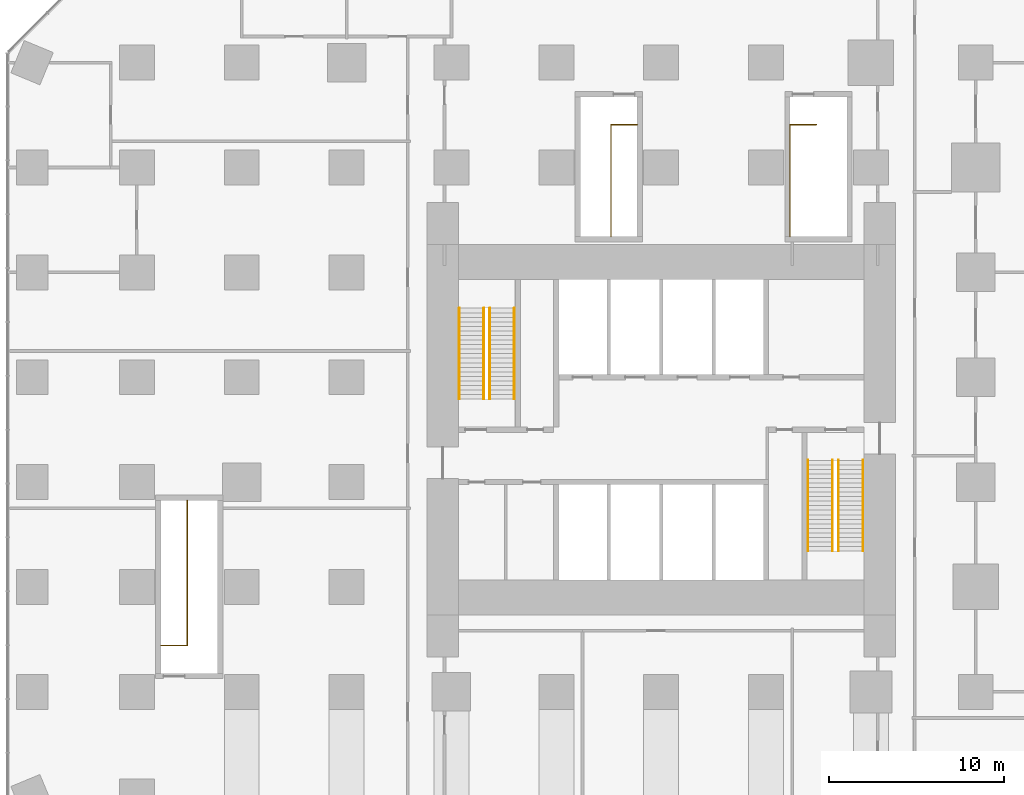
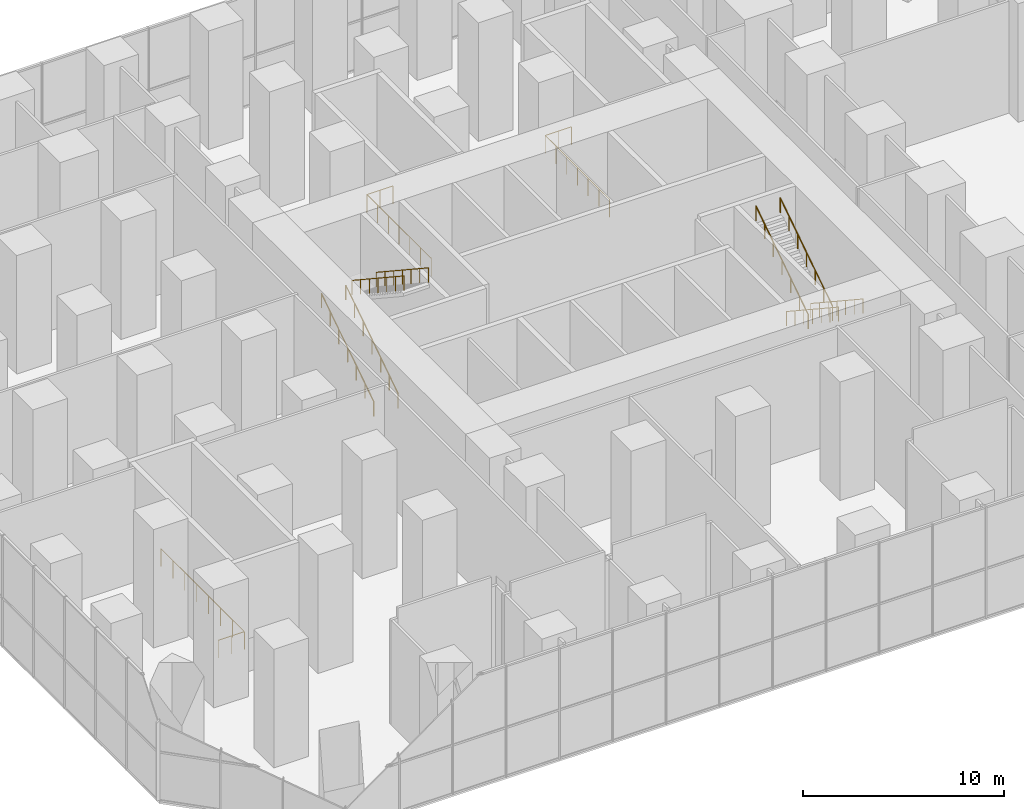
# One storey, part 16 of 16: 11 railings.
"""IFC4 building model written with IfcOpenShell, lengths in metres."""

from ifc_helpers import new_model, si_unit, direction, frame, origin, origin_2d, place, context, subcontext, project, spatial, circle, extrude, material, type_object, element, save


model = new_model("IFC4")

# Units and contexts
model_context = context("Model", 3, precision=1e-05, world=origin(), true_north=direction((0.0, 1.0)))
body_context = subcontext(model_context, "Body", "Model", "MODEL_VIEW")
ifc_project = project(units=[si_unit("LENGTHUNIT", "METRE"), si_unit("AREAUNIT", "SQUARE_METRE"), si_unit("VOLUMEUNIT", "CUBIC_METRE"), si_unit("PLANEANGLEUNIT", "RADIAN"), si_unit("MASSUNIT", "GRAM", prefix="KILO")], contexts=[model_context])

# Site, building, storey
site_placement = place(None, origin())
site = spatial("IfcSite", under=ifc_project, at=site_placement, CompositionType="ELEMENT")
building_placement = place(site_placement, origin())
building = spatial("IfcBuilding", under=site, at=building_placement, Name="Highveld Stack Headquarters", CompositionType="ELEMENT")
storey_placement = place(building_placement, frame((0.0, 0.0, 11.0)))
storey = spatial("IfcBuildingStorey", under=building, at=storey_placement, Name="L02", CompositionType="ELEMENT", Elevation=11.0)

# Railings
ifc_material_1 = material(Name="Steel balustrade, powder coated", Category="steel")
railing_type_1 = type_object("IfcRailingType", Name="STAIR GUARD GR2 1100", PredefinedType="GUARDRAIL", material=ifc_material_1)
railing_placement = place(storey_placement, frame((-22.625, -9.35009765625, 0.0)))
element("IfcRailing", 1, at=railing_placement, inside=storey, type_object=railing_type_1, Name="Stair guard PS1 L02", PredefinedType="GUARDRAIL", context=body_context, shape_type="SweptSolid", body=[
    extrude(circle(Radius=0.02392578125, at=origin_2d()), frame((0.0, 0.0, 1.076171875), z_axis=(1.0, 0.0, 0.0), x_axis=(0.0, 1.0, 0.0)), (0.0, 0.0, 1.0), 1.5),
    extrude(circle(Radius=0.02392578125, at=origin_2d()), frame((1.5, 0.0, 1.076171875), z_axis=(0.0, 1.0, 0.0), x_axis=(-1.0, 0.0, 0.0)), (0.0, 0.0, 1.0), 8.300048828125),
    extrude(circle(Radius=0.02099609375, at=origin_2d()), origin(), (0.0, 0.0, 1.0), 1.052001953125),
    extrude(circle(Radius=0.02099609375, at=origin_2d()), frame((0.75, 0.0, 0.0)), (0.0, 0.0, 1.0), 1.052001953125),
    extrude(circle(Radius=0.02099609375, at=origin_2d()), frame((1.5, 0.0, 0.0)), (0.0, 0.0, 1.0), 1.052001953125),
    extrude(circle(Radius=0.02099609375, at=origin_2d()), frame((1.5, 1.185791015625, 0.0)), (0.0, 0.0, 1.0), 1.052001953125),
    extrude(circle(Radius=0.02099609375, at=origin_2d()), frame((1.5, 2.371337890625, 0.0)), (0.0, 0.0, 1.0), 1.052001953125),
    extrude(circle(Radius=0.02099609375, at=origin_2d()), frame((1.5, 3.55712890625, 0.0)), (0.0, 0.0, 1.0), 1.052001953125),
    extrude(circle(Radius=0.02099609375, at=origin_2d()), frame((1.5, 4.742919921875, 0.0)), (0.0, 0.0, 1.0), 1.052001953125),
    extrude(circle(Radius=0.02099609375, at=origin_2d()), frame((1.5, 5.9287109375, 0.0)), (0.0, 0.0, 1.0), 1.052001953125),
    extrude(circle(Radius=0.02099609375, at=origin_2d()), frame((1.5, 7.1142578125, 0.0)), (0.0, 0.0, 1.0), 1.052001953125),
    extrude(circle(Radius=0.02099609375, at=origin_2d()), frame((1.5, 8.300048828125, 0.0)), (0.0, 0.0, 1.0), 1.052001953125),
])
for number, where, name in (
    (2, (14.875, 20.449951171875, 0.0), "Stair guard PS2 L02"),
    (3, (4.625, 20.449951171875, 0.0), "Stair guard PS3 L02"),
):
    element("IfcRailing", number, at=place(storey_placement, frame(where)), inside=storey, type_object=railing_type_1, Name=name, PredefinedType="GUARDRAIL", context=body_context, shape_type="SweptSolid", body=[
        extrude(circle(Radius=0.02392578125, at=origin_2d()), frame((0.0, 0.0, 1.076171875), z_axis=(-1.0, 0.0, 0.0), x_axis=(0.0, -1.0, 0.0)), (0.0, 0.0, 1.0), 1.5),
        extrude(circle(Radius=0.02392578125, at=origin_2d()), frame((-1.5, 0.0, 1.076171875), z_axis=(0.0, -1.0, 0.0), x_axis=(1.0, 0.0, 0.0)), (0.0, 0.0, 1.0), 6.39990234375),
        extrude(circle(Radius=0.02099609375, at=origin_2d()), origin(), (0.0, 0.0, 1.0), 1.052001953125),
        extrude(circle(Radius=0.02099609375, at=origin_2d()), frame((-0.75, 0.0, 0.0)), (0.0, 0.0, 1.0), 1.052001953125),
        extrude(circle(Radius=0.02099609375, at=origin_2d()), frame((-1.5, 0.0, 0.0)), (0.0, 0.0, 1.0), 1.052001953125),
        extrude(circle(Radius=0.02099609375, at=origin_2d()), frame((-1.5, -1.066650390625, 0.0)), (0.0, 0.0, 1.0), 1.052001953125),
        extrude(circle(Radius=0.02099609375, at=origin_2d()), frame((-1.5, -2.13330078125, 0.0)), (0.0, 0.0, 1.0), 1.052001953125),
        extrude(circle(Radius=0.02099609375, at=origin_2d()), frame((-1.5, -3.199951171875, 0.0)), (0.0, 0.0, 1.0), 1.052001953125),
        extrude(circle(Radius=0.02099609375, at=origin_2d()), frame((-1.5, -4.2666015625, 0.0)), (0.0, 0.0, 1.0), 1.052001953125),
        extrude(circle(Radius=0.02099609375, at=origin_2d()), frame((-1.5, -5.333251953125, 0.0)), (0.0, 0.0, 1.0), 1.052001953125),
        extrude(circle(Radius=0.02099609375, at=origin_2d()), frame((-1.5, -6.39990234375, 0.0)), (0.0, 0.0, 1.0), 1.052001953125),
    ])
ifc_material_2 = material(Name="Stainless steel handrail", Category="steel")
railing_type_2 = type_object("IfcRailingType", Name="STAIR HANDRAIL HR1 900", PredefinedType="HANDRAIL", material=ifc_material_2)
for number, where, name in (
    (4, (-5.550048828125, 4.75, 0.17138671875), "Handrail S1 L02 flight 1"),
    (5, (-4.14990234375, 4.75, 0.17138671875), "Handrail S1 L02 flight 1"),
):
    element("IfcRailing", number, at=place(storey_placement, frame(where)), inside=storey, type_object=railing_type_2, Name=name, PredefinedType="HANDRAIL", context=body_context, shape_type="SweptSolid", body=[
        extrude(circle(Radius=0.02392578125, at=origin_2d()), frame((0.0, 0.0, 0.8759765625), z_axis=(0.0, 0.834849716538, 0.550477929436), x_axis=(-1.0, 0.0, 0.0)), (0.0, 0.0, 1.0), 6.228515625),
        extrude(circle(Radius=0.02099609375, at=origin_2d()), origin(), (0.0, 0.0, 1.0), 0.851806640625),
        extrude(circle(Radius=0.02099609375, at=origin_2d()), frame((0.0, 0.86669921875, 0.571533203125)), (0.0, 0.0, 1.0), 0.851806640625),
        extrude(circle(Radius=0.02099609375, at=origin_2d()), frame((0.0, 1.7333984375, 1.142822265625)), (0.0, 0.0, 1.0), 0.851806640625),
        extrude(circle(Radius=0.02099609375, at=origin_2d()), frame((0.0, 2.60009765625, 1.71435546875)), (0.0, 0.0, 1.0), 0.851806640625),
        extrude(circle(Radius=0.02099609375, at=origin_2d()), frame((0.0, 3.466552734375, 2.285888671875)), (0.0, 0.0, 1.0), 0.851806640625),
        extrude(circle(Radius=0.02099609375, at=origin_2d()), frame((0.0, 4.333251953125, 2.857177734375)), (0.0, 0.0, 1.0), 0.851806640625),
        extrude(circle(Radius=0.02099609375, at=origin_2d()), frame((0.0, 5.199951171875, 3.4287109375)), (0.0, 0.0, 1.0), 0.851806640625),
    ])
for number, where, name in (
    (6, (-3.800048828125, 9.949951171875, 3.771484375), "Handrail S1 L02 flight 2"),
    (7, (-2.39990234375, 9.949951171875, 3.771484375), "Handrail S1 L02 flight 2"),
):
    element("IfcRailing", number, at=place(storey_placement, frame(where)), inside=storey, type_object=railing_type_2, Name=name, PredefinedType="HANDRAIL", context=body_context, shape_type="SweptSolid", body=[
        extrude(circle(Radius=0.02392578125, at=origin_2d()), frame((0.0, 0.0, 0.8759765625), z_axis=(0.0, -0.834867729947, 0.550450609495), x_axis=(1.0, 0.0, 0.0)), (0.0, 0.0, 1.0), 6.228515625),
        extrude(circle(Radius=0.02099609375, at=origin_2d()), origin(), (0.0, 0.0, 1.0), 0.851806640625),
        extrude(circle(Radius=0.02099609375, at=origin_2d()), frame((0.0, -0.86669921875, 0.5712890625)), (0.0, 0.0, 1.0), 0.851806640625),
        extrude(circle(Radius=0.02099609375, at=origin_2d()), frame((0.0, -1.7333984375, 1.142822265625)), (0.0, 0.0, 1.0), 0.851806640625),
        extrude(circle(Radius=0.02099609375, at=origin_2d()), frame((0.0, -2.60009765625, 1.71435546875)), (0.0, 0.0, 1.0), 0.851806640625),
        extrude(circle(Radius=0.02099609375, at=origin_2d()), frame((0.0, -3.466552734375, 2.28564453125)), (0.0, 0.0, 1.0), 0.851806640625),
        extrude(circle(Radius=0.02099609375, at=origin_2d()), frame((0.0, -4.333251953125, 2.85693359375)), (0.0, 0.0, 1.0), 0.851806640625),
        extrude(circle(Radius=0.02099609375, at=origin_2d()), frame((0.0, -5.199951171875, 3.428466796875)), (0.0, 0.0, 1.0), 0.851806640625),
    ])
for number, where, name in (
    (8, (16.14990234375, 1.25, 0.17138671875), "Handrail S2 L02 flight 1"),
    (9, (17.550048828125, 1.25, 0.17138671875), "Handrail S2 L02 flight 1"),
):
    element("IfcRailing", number, at=place(storey_placement, frame(where)), inside=storey, type_object=railing_type_2, Name=name, PredefinedType="HANDRAIL", context=body_context, shape_type="SweptSolid", body=[
        extrude(circle(Radius=0.02392578125, at=origin_2d()), frame((0.0, 0.0, 0.8759765625), z_axis=(0.0, -0.834849716538, 0.550477929436), x_axis=(1.0, 0.0, 0.0)), (0.0, 0.0, 1.0), 6.228515625),
        extrude(circle(Radius=0.02099609375, at=origin_2d()), origin(), (0.0, 0.0, 1.0), 0.851806640625),
        extrude(circle(Radius=0.02099609375, at=origin_2d()), frame((0.0, -0.86669921875, 0.571533203125)), (0.0, 0.0, 1.0), 0.851806640625),
        extrude(circle(Radius=0.02099609375, at=origin_2d()), frame((0.0, -1.7333984375, 1.142822265625)), (0.0, 0.0, 1.0), 0.851806640625),
        extrude(circle(Radius=0.02099609375, at=origin_2d()), frame((0.0, -2.60009765625, 1.71435546875)), (0.0, 0.0, 1.0), 0.851806640625),
        extrude(circle(Radius=0.02099609375, at=origin_2d()), frame((0.0, -3.466552734375, 2.285888671875)), (0.0, 0.0, 1.0), 0.851806640625),
        extrude(circle(Radius=0.02099609375, at=origin_2d()), frame((0.0, -4.333251953125, 2.857177734375)), (0.0, 0.0, 1.0), 0.851806640625),
        extrude(circle(Radius=0.02099609375, at=origin_2d()), frame((0.0, -5.199951171875, 3.4287109375)), (0.0, 0.0, 1.0), 0.851806640625),
    ])
for number, where, name in (
    (10, (14.39990234375, -3.949951171875, 3.771484375), "Handrail S2 L02 flight 2"),
    (11, (15.800048828125, -3.949951171875, 3.771484375), "Handrail S2 L02 flight 2"),
):
    element("IfcRailing", number, at=place(storey_placement, frame(where)), inside=storey, type_object=railing_type_2, Name=name, PredefinedType="HANDRAIL", context=body_context, shape_type="SweptSolid", body=[
        extrude(circle(Radius=0.02392578125, at=origin_2d()), frame((0.0, 0.0, 0.8759765625), z_axis=(0.0, 0.834867729947, 0.550450609495), x_axis=(-1.0, 0.0, 0.0)), (0.0, 0.0, 1.0), 6.228515625),
        extrude(circle(Radius=0.02099609375, at=origin_2d()), origin(), (0.0, 0.0, 1.0), 0.851806640625),
        extrude(circle(Radius=0.02099609375, at=origin_2d()), frame((0.0, 0.86669921875, 0.5712890625)), (0.0, 0.0, 1.0), 0.851806640625),
        extrude(circle(Radius=0.02099609375, at=origin_2d()), frame((0.0, 1.7333984375, 1.142822265625)), (0.0, 0.0, 1.0), 0.851806640625),
        extrude(circle(Radius=0.02099609375, at=origin_2d()), frame((0.0, 2.60009765625, 1.71435546875)), (0.0, 0.0, 1.0), 0.851806640625),
        extrude(circle(Radius=0.02099609375, at=origin_2d()), frame((0.0, 3.466552734375, 2.28564453125)), (0.0, 0.0, 1.0), 0.851806640625),
        extrude(circle(Radius=0.02099609375, at=origin_2d()), frame((0.0, 4.333251953125, 2.85693359375)), (0.0, 0.0, 1.0), 0.851806640625),
        extrude(circle(Radius=0.02099609375, at=origin_2d()), frame((0.0, 5.199951171875, 3.428466796875)), (0.0, 0.0, 1.0), 0.851806640625),
    ])

save(model, "model.ifc")
